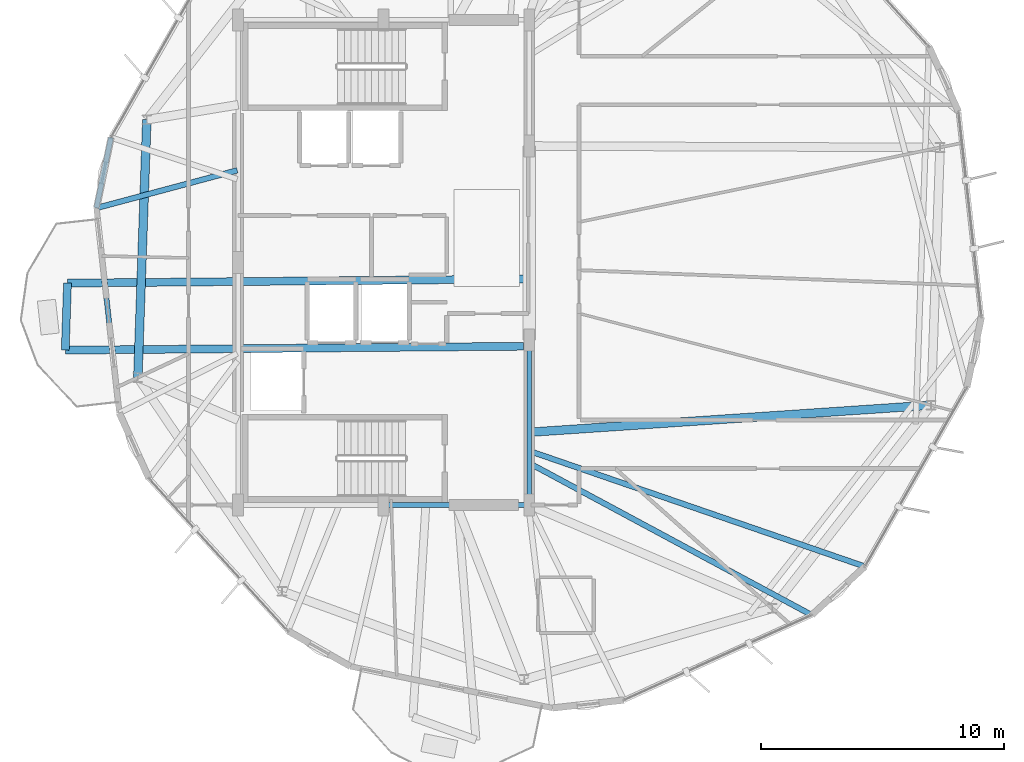
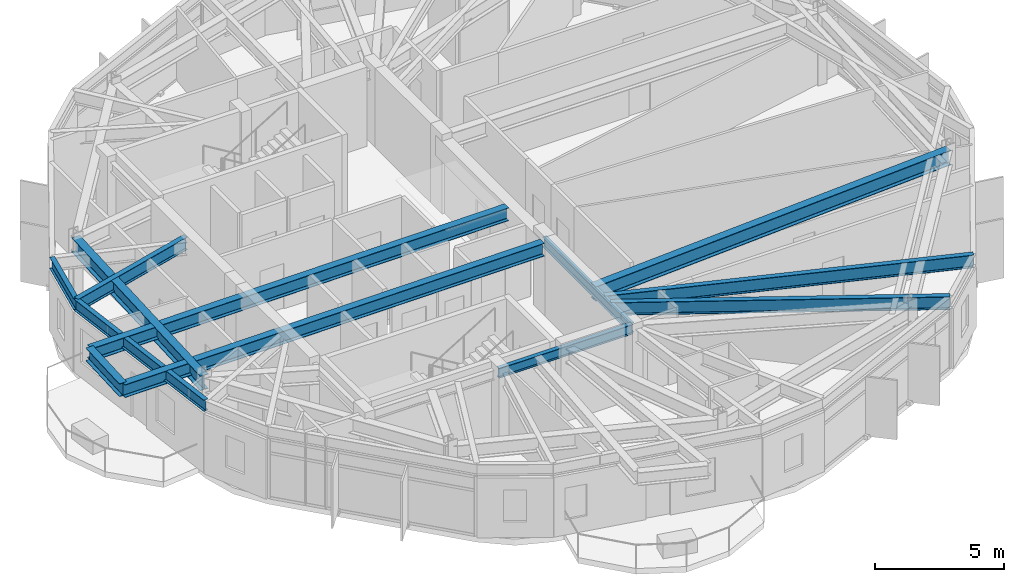
# One storey, part 7 of 23: 12 beams.
"""IFC4 building model written with IfcOpenShell, lengths in metres."""

from ifc_helpers import new_model, si_unit, direction, frame, origin, origin_2d, place, context, subcontext, project, spatial, i_section, extrude, material, material_profile, profile_set, type_object, element, save


model = new_model("IFC4")

# Units and contexts
model_context = context("Model", 3, precision=1e-05, world=origin(), true_north=direction((0.0, 1.0)))
body_context = subcontext(model_context, "Body", "Model", "MODEL_VIEW")
ifc_project = project(units=[si_unit("LENGTHUNIT", "METRE"), si_unit("AREAUNIT", "SQUARE_METRE"), si_unit("VOLUMEUNIT", "CUBIC_METRE"), si_unit("PLANEANGLEUNIT", "RADIAN"), si_unit("MASSUNIT", "GRAM", prefix="KILO")], contexts=[model_context])

# Site, building, storey
site_placement = place(None, origin())
site = spatial("IfcSite", under=ifc_project, at=site_placement, CompositionType="ELEMENT")
building_placement = place(site_placement, origin())
building = spatial("IfcBuilding", under=site, at=building_placement, Name="Soratama Intermodal Tower", CompositionType="ELEMENT")
storey_placement = place(building_placement, frame((0.0, 0.0, 257.5)))
storey = spatial("IfcBuildingStorey", under=building, at=storey_placement, Name="L65", CompositionType="ELEMENT", Elevation=257.5)

# Beams
ifc_material_1 = material(Name="Structural steel ASTM A992 Grade 50", Category="steel")
ifc_material_profile_1 = material_profile(ifc_material_1, i_section(OverallWidth=0.324951171875, OverallDepth=0.615966796875, WebThickness=0.013916015625, FlangeThickness=0.021484375, FilletRadius=0.013916015625, at=origin_2d()), Name="W24X117")
ifc_profile_set_1 = profile_set([ifc_material_profile_1], Name="Structural steel ASTM A992 Grade 50")
beam_type_1 = type_object("IfcBeamType", Name="BM-CANT-W24X117", PredefinedType="BEAM", material=ifc_profile_set_1)
beam_1_placement = place(storey_placement, frame((25.56689453125, 24.14892578125, 3.14208984375), z_axis=(-0.033194310821, -0.999448917018, 0.0), x_axis=(0.999448917018, -0.033194310821, 0.0)))
element("IfcBeam", 1, at=beam_1_placement, inside=storey, type_object=beam_type_1, Name="BM-L65-CBHDR-2", PredefinedType="BEAM", context=body_context, shape_type="SweptSolid", body=[
    extrude(i_section(OverallWidth=0.324951171875, OverallDepth=0.615966796875, WebThickness=0.013916015625, FlangeThickness=0.021484375, FilletRadius=0.013916015625, at=origin_2d()), origin(), (0.0, 0.0, 1.0), 2.765380859375),
])
beam_2_placement = place(storey_placement, frame((44.364990234375, 24.31591796875, 3.14208984375), z_axis=(-0.999960544378, -0.00888311249, 0.0), x_axis=(0.00888311249, -0.999960544378, 0.0)))
element("IfcBeam", 2, at=beam_2_placement, inside=storey, type_object=beam_type_1, Name="BM-L65-CANT-2-1", PredefinedType="BEAM", context=body_context, shape_type="SweptSolid", body=[
    extrude(i_section(OverallWidth=0.324951171875, OverallDepth=0.615966796875, WebThickness=0.013916015625, FlangeThickness=0.021484375, FilletRadius=0.013916015625, at=origin_2d()), origin(), (0.0, 0.0, 1.0), 18.798828125),
])
beam_3_placement = place(storey_placement, frame((44.364990234375, 21.5458984375, 3.14208984375), z_axis=(-0.99996373077, -0.008516874085, 0.0), x_axis=(0.008516874085, -0.99996373077, 0.0)))
element("IfcBeam", 3, at=beam_3_placement, inside=storey, type_object=beam_type_1, Name="BM-L65-CANT-2-2", PredefinedType="BEAM", context=body_context, shape_type="SweptSolid", body=[
    extrude(i_section(OverallWidth=0.324951171875, OverallDepth=0.615966796875, WebThickness=0.013916015625, FlangeThickness=0.021484375, FilletRadius=0.013916015625, at=origin_2d()), origin(), (0.0, 0.0, 1.0), 18.890625),
])
ifc_material_2 = material(Name="Structural steel ASTM A992 Grade 50", Category="steel")
ifc_material_profile_2 = material_profile(ifc_material_2, i_section(OverallWidth=0.19091796875, OverallDepth=0.4599609375, WebThickness=0.010009765625, FlangeThickness=0.01611328125, FilletRadius=0.010986328125, at=origin_2d()), Name="W18X55")
ifc_profile_set_2 = profile_set([ifc_material_profile_2], Name="Structural steel ASTM A992 Grade 50")
beam_type_2 = type_object("IfcBeamType", Name="BM-FLR-W18X55", PredefinedType="BEAM", material=ifc_profile_set_2)
beam_4_placement = place(storey_placement, frame((38.60009765625, 15.0, 3.219970703125), z_axis=(1.0, 0.0, 0.0), x_axis=(0.0, 1.0, 0.0)))
element("IfcBeam", 4, at=beam_4_placement, inside=storey, type_object=beam_type_2, Name="BM-L65-CRING-02", PredefinedType="BEAM", context=body_context, shape_type="SweptSolid", body=[
    extrude(i_section(OverallWidth=0.19091796875, OverallDepth=0.4599609375, WebThickness=0.010009765625, FlangeThickness=0.01611328125, FilletRadius=0.010986328125, at=origin_2d()), origin(), (0.0, 0.0, 1.0), 6.0),
])
beam_5_placement = place(storey_placement, frame((44.60009765625, 15.0, 3.219970703125), z_axis=(0.0, 1.0, 0.0), x_axis=(-1.0, 0.0, 0.0)))
element("IfcBeam", 5, at=beam_5_placement, inside=storey, type_object=beam_type_2, Name="BM-L65-CRING-03", PredefinedType="BEAM", context=body_context, shape_type="SweptSolid", body=[
    extrude(i_section(OverallWidth=0.19091796875, OverallDepth=0.4599609375, WebThickness=0.010009765625, FlangeThickness=0.01611328125, FilletRadius=0.010986328125, at=origin_2d()), origin(), (0.0, 0.0, 1.0), 6.800048828125),
])
ifc_material_3 = material(Name="Structural steel ASTM A992 Grade 50", Category="steel")
ifc_material_profile_3 = material_profile(ifc_material_3, i_section(OverallWidth=0.35498046875, OverallDepth=0.695068359375, WebThickness=0.015380859375, FlangeThickness=0.02490234375, FilletRadius=0.01611328125, at=origin_2d()), Name="W27X146")
ifc_profile_set_3 = profile_set([ifc_material_profile_3], Name="Structural steel ASTM A992 Grade 50")
beam_type_3 = type_object("IfcBeamType", Name="BM-RING-W27X146", PredefinedType="BEAM", material=ifc_profile_set_3)
beam_6_placement = place(storey_placement, frame((28.8369140625, 30.883056640625, 3.1025390625), z_axis=(-0.034885453879, -0.999391317307, 0.0), x_axis=(0.999391317307, -0.034885453879, 0.0)))
element("IfcBeam", 6, at=beam_6_placement, inside=storey, type_object=beam_type_3, Name="BM-L65-RING-05", PredefinedType="BEAM", context=body_context, shape_type="SweptSolid", body=[
    extrude(i_section(OverallWidth=0.35498046875, OverallDepth=0.695068359375, WebThickness=0.015380859375, FlangeThickness=0.02490234375, FilletRadius=0.01611328125, at=origin_2d()), origin(), (0.0, 0.0, 1.0), 10.630615234375),
])
beam_7_placement = place(storey_placement, frame((44.60009765625, 18.0, 3.1025390625), z_axis=(0.997733912176, 0.067283285401, 0.0), x_axis=(-0.067283285401, 0.997733912176, 0.0)))
element("IfcBeam", 7, at=beam_7_placement, inside=storey, type_object=beam_type_3, Name="BM-L65-RAD-10", PredefinedType="BEAM", context=body_context, shape_type="SweptSolid", body=[
    extrude(i_section(OverallWidth=0.35498046875, OverallDepth=0.695068359375, WebThickness=0.015380859375, FlangeThickness=0.02490234375, FilletRadius=0.01611328125, at=origin_2d()), origin(), (0.0, 0.0, 1.0), 16.6005859375),
])
ifc_material_4 = material(Name="Structural steel ASTM A992 Grade 50", Category="steel")
ifc_material_profile_4 = material_profile(ifc_material_4, i_section(OverallWidth=0.2099609375, OverallDepth=0.537109375, WebThickness=0.010986328125, FlangeThickness=0.017333984375, FilletRadius=0.012939453125, at=origin_2d()), Name="W21X68")
ifc_profile_set_4 = profile_set([ifc_material_profile_4], Name="Structural steel ASTM A992 Grade 50")
beam_type_4 = type_object("IfcBeamType", Name="BM-SPN-W21X68", PredefinedType="SPANDREL", material=ifc_profile_set_4)
beam_8_placement = place(storey_placement, frame((27.35791015625, 30.14892578125, 3.181396484375), z_axis=(-0.201840973594, -0.97941830766, 0.0), x_axis=(0.97941830766, -0.201840973594, 0.0)))
element("IfcBeam", 8, at=beam_8_placement, inside=storey, type_object=beam_type_4, Name="BS-L65-CRN03", PredefinedType="SPANDREL", context=body_context, shape_type="SweptSolid", body=[
    extrude(i_section(OverallWidth=0.2099609375, OverallDepth=0.537109375, WebThickness=0.010986328125, FlangeThickness=0.017333984375, FilletRadius=0.012939453125, at=origin_2d()), origin(), (0.0, 0.0, 1.0), 2.967041015625),
])
beam_9_placement = place(storey_placement, frame((26.759033203125, 27.242919921875, 3.181396484375), z_axis=(0.110819299042, -0.993840572205, 0.0), x_axis=(0.993840572205, 0.110819299042, 0.0)))
element("IfcBeam", 9, at=beam_9_placement, inside=storey, type_object=beam_type_4, Name="BS-L65-F04", PredefinedType="SPANDREL", context=body_context, shape_type="SweptSolid", body=[
    extrude(i_section(OverallWidth=0.2099609375, OverallDepth=0.537109375, WebThickness=0.010986328125, FlangeThickness=0.017333984375, FilletRadius=0.012939453125, at=origin_2d()), origin(), (0.0, 0.0, 1.0), 8.499267578125),
])
ifc_material_5 = material(Name="Structural steel ASTM A992 Grade 50", Category="steel")
ifc_material_profile_5 = material_profile(ifc_material_5, i_section(OverallWidth=0.22900390625, OverallDepth=0.612060546875, WebThickness=0.011962890625, FlangeThickness=0.01953125, FilletRadius=0.012939453125, at=origin_2d()), Name="W24X84")
ifc_profile_set_5 = profile_set([ifc_material_profile_5], Name="Structural steel ASTM A992 Grade 50")
beam_type_5 = type_object("IfcBeamType", Name="BM-TIE-W24X84", PredefinedType="BEAM", material=ifc_profile_set_5)
beam_10_placement = place(storey_placement, frame((32.56103515625, 28.797119140625, 3.14404296875), z_axis=(-0.965944242001, -0.258750306946, 0.0), x_axis=(0.258750306946, -0.965944242001, 0.0)))
element("IfcBeam", 10, at=beam_10_placement, inside=storey, type_object=beam_type_5, Name="BM-L65-TIE0-04", PredefinedType="BEAM", context=body_context, shape_type="SweptSolid", body=[
    extrude(i_section(OverallWidth=0.22900390625, OverallDepth=0.612060546875, WebThickness=0.011962890625, FlangeThickness=0.01953125, FilletRadius=0.012939453125, at=origin_2d()), origin(), (0.0, 0.0, 1.0), 6.006591796875),
])
beam_11_placement = place(storey_placement, frame((44.635009765625, 16.708984375, 3.14404296875), z_axis=(0.880731418302, -0.473616056332, 0.0), x_axis=(0.473616056332, 0.880731418302, 0.0)))
element("IfcBeam", 11, at=beam_11_placement, inside=storey, type_object=beam_type_5, Name="BM-L65-TIE1-07", PredefinedType="BEAM", context=body_context, shape_type="SweptSolid", body=[
    extrude(i_section(OverallWidth=0.22900390625, OverallDepth=0.612060546875, WebThickness=0.011962890625, FlangeThickness=0.01953125, FilletRadius=0.012939453125, at=origin_2d()), origin(), (0.0, 0.0, 1.0), 13.183349609375),
])
beam_12_placement = place(storey_placement, frame((44.637939453125, 17.218017578125, 3.14404296875), z_axis=(0.945472834866, -0.325700964892, 0.0), x_axis=(0.325700964892, 0.945472834866, 0.0)))
element("IfcBeam", 12, at=beam_12_placement, inside=storey, type_object=beam_type_5, Name="BM-L65-TIE0-08", PredefinedType="BEAM", context=body_context, shape_type="SweptSolid", body=[
    extrude(i_section(OverallWidth=0.22900390625, OverallDepth=0.612060546875, WebThickness=0.011962890625, FlangeThickness=0.01953125, FilletRadius=0.012939453125, at=origin_2d()), origin(), (0.0, 0.0, 1.0), 14.595947265625),
])

save(model, "model.ifc")
